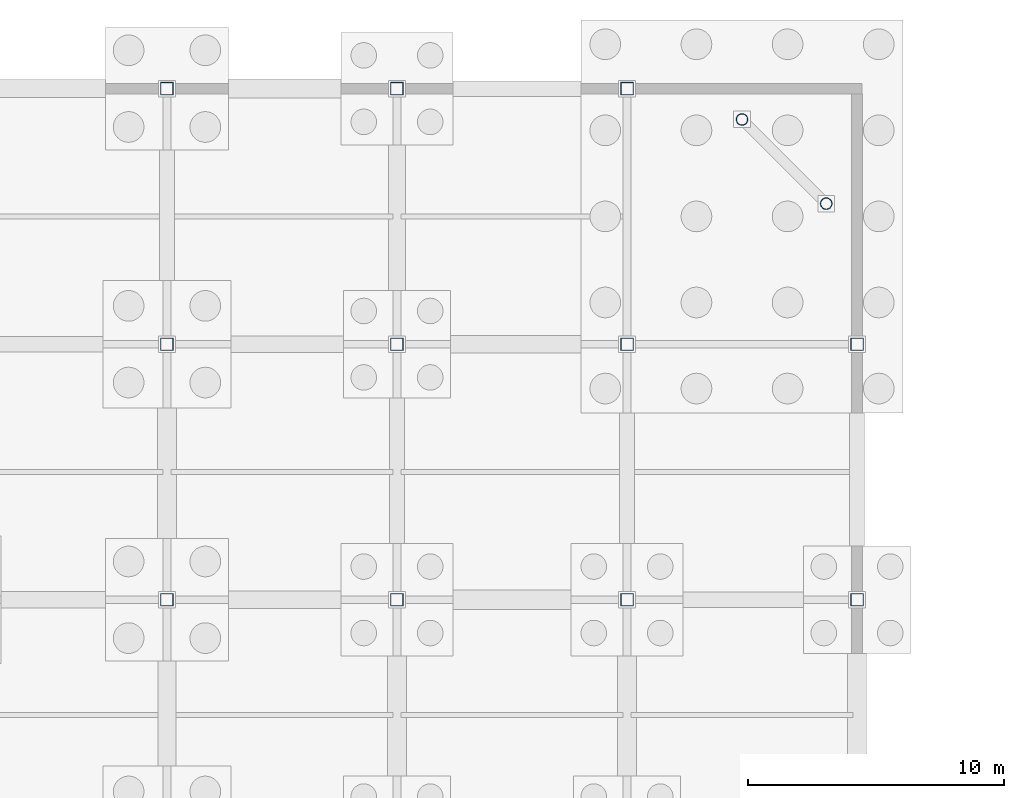
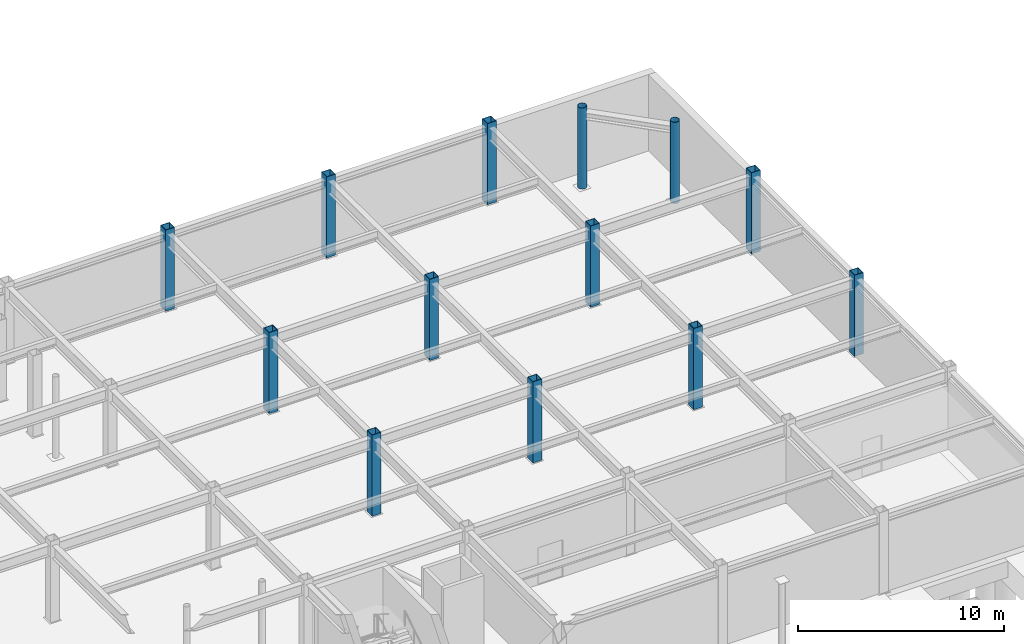
# One storey, part 32 of 74: 13 columns.
"""IFC4 building model written with IfcOpenShell, lengths in metres."""

from ifc_helpers import new_model, si_unit, direction, frame, origin, origin_2d, place, context, subcontext, project, spatial, hollow_rectangle, hollow_circle, extrude, material, material_profile, profile_set, type_object, element, save


model = new_model("IFC4")

# Units and contexts
model_context = context("Model", 3, precision=1e-05, world=origin(), true_north=direction((0.0, 1.0)))
body_context = subcontext(model_context, "Body", "Model", "MODEL_VIEW")
ifc_project = project(units=[si_unit("LENGTHUNIT", "METRE"), si_unit("AREAUNIT", "SQUARE_METRE"), si_unit("VOLUMEUNIT", "CUBIC_METRE"), si_unit("PLANEANGLEUNIT", "RADIAN"), si_unit("MASSUNIT", "GRAM", prefix="KILO")], contexts=[model_context])

# Site, building, storey
site_placement = place(None, origin())
site = spatial("IfcSite", under=ifc_project, at=site_placement, CompositionType="ELEMENT")
building_placement = place(site_placement, origin())
building = spatial("IfcBuilding", under=site, at=building_placement, Name="Suzunagisa Mobility Hub", CompositionType="ELEMENT")
storey_placement = place(building_placement, frame((0.0, 0.0, -4.800048828125)))
storey = spatial("IfcBuildingStorey", under=building, at=storey_placement, Name="B1", CompositionType="ELEMENT", Elevation=-4.800048828125)

# Columns
ifc_material = material(Name="Steel SN490B", Category="steel")
ifc_material_profile_1 = material_profile(ifc_material, hollow_circle(Radius=0.228515625, WallThickness=0.01611328125, at=origin_2d()), Name="CHS-457.2x16.0")
ifc_profile_set_1 = profile_set([ifc_material_profile_1], Name="Steel SN490B")
column_type_1 = type_object("IfcColumnType", Name="Steel Column CL-08 CHS-457.2x16.0", PredefinedType="COLUMN", material=ifc_profile_set_1)
for number, where, z_axis, x_axis, name in (
    (1, (121.5, 116.794189453125, 0.0), (0.0, 0.0, 1.0), (1.0, 0.0, 0.0), "B1 Column 223"),
    (2, (124.794189453125, 113.5, 0.0), (0.0, 0.0, 1.0), (1.0, 0.0, 0.0), "B1 Column 227"),
):
    element("IfcColumn", number, at=place(storey_placement, frame(where, z_axis=z_axis, x_axis=x_axis)), inside=storey, type_object=column_type_1, Name=name, PredefinedType="COLUMN", context=body_context, shape_type="SweptSolid", body=[
        extrude(hollow_circle(Radius=0.228515625, WallThickness=0.01611328125, at=origin_2d()), origin(), (0.0, 0.0, 1.0), 4.800048828125),
    ])
ifc_material_profile_2 = material_profile(ifc_material, hollow_rectangle(XDim=0.5, YDim=0.5, WallThickness=0.02490234375, at=origin_2d()), Name="BCR-500x500x25")
ifc_profile_set_2 = profile_set([ifc_material_profile_2], Name="Steel SN490B")
column_type_2 = type_object("IfcColumnType", Name="Steel Column CL-11 BCR-500x500x25", PredefinedType="COLUMN", material=ifc_profile_set_2)
for number, where, z_axis, x_axis, name in (
    (3, (99.0, 98.0, 0.0), (0.0, 0.0, 1.0), (1.0, 0.0, 0.0), "B1 Column 197"),
    (4, (99.0, 108.0, 0.0), (0.0, 0.0, 1.0), (1.0, 0.0, 0.0), "B1 Column 198"),
    (5, (99.0, 118.0, 0.0), (0.0, 0.0, 1.0), (1.0, 0.0, 0.0), "B1 Column 199"),
    (6, (108.0, 98.0, 0.0), (0.0, 0.0, 1.0), (1.0, 0.0, 0.0), "B1 Column 206"),
    (7, (108.0, 108.0, 0.0), (0.0, 0.0, 1.0), (1.0, 0.0, 0.0), "B1 Column 207"),
    (8, (108.0, 118.0, 0.0), (0.0, 0.0, 1.0), (1.0, 0.0, 0.0), "B1 Column 208"),
    (9, (117.0, 98.0, 0.0), (0.0, 0.0, 1.0), (1.0, 0.0, 0.0), "B1 Column 217"),
    (10, (117.0, 108.0, 0.0), (0.0, 0.0, 1.0), (1.0, 0.0, 0.0), "B1 Column 218"),
    (11, (117.0, 118.0, 0.0), (0.0, 0.0, 1.0), (1.0, 0.0, 0.0), "B1 Column 219"),
    (12, (126.0, 98.0, 0.0), (0.0, 0.0, 1.0), (1.0, 0.0, 0.0), "B1 Column 235"),
    (13, (126.0, 108.0, 0.0), (0.0, 0.0, 1.0), (1.0, 0.0, 0.0), "B1 Column 236"),
):
    element("IfcColumn", number, at=place(storey_placement, frame(where, z_axis=z_axis, x_axis=x_axis)), inside=storey, type_object=column_type_2, Name=name, PredefinedType="COLUMN", context=body_context, shape_type="SweptSolid", body=[
        extrude(hollow_rectangle(XDim=0.5, YDim=0.5, WallThickness=0.02490234375, at=origin_2d()), origin(), (0.0, 0.0, 1.0), 4.800048828125),
    ])

save(model, "model.ifc")
